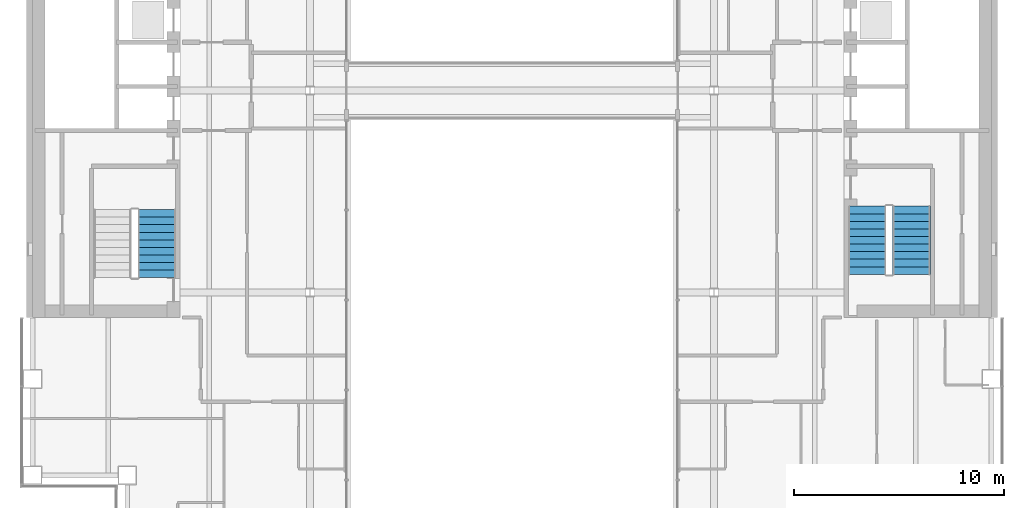
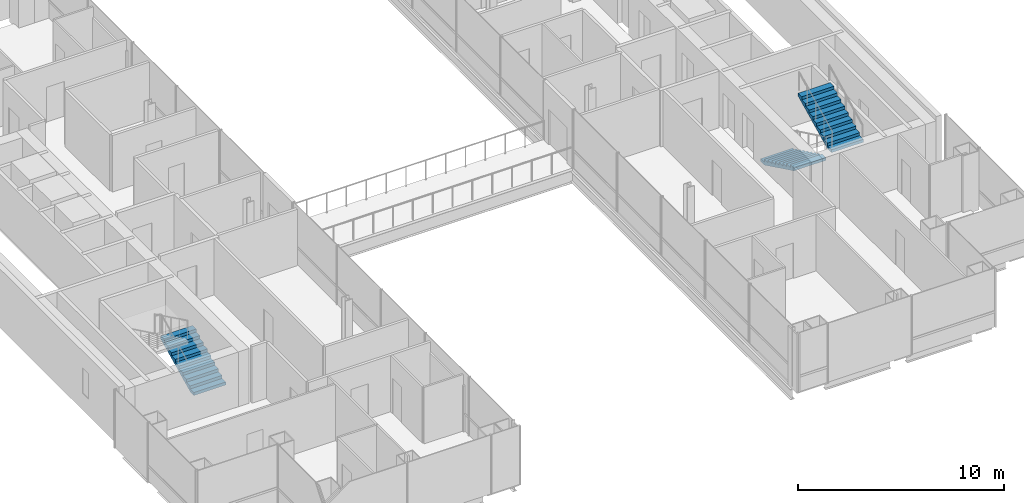
# One storey, part 14 of 16: 3 stair flights, 2 elements without a shape of their own.
"""IFC4 building model written with IfcOpenShell, lengths in metres."""

from ifc_helpers import new_model, si_unit, direction, frame, origin, place, context, subcontext, project, spatial, polyline, outline, extrude, material, type_object, element, aggregate, save


model = new_model("IFC4")

# Units and contexts
model_context = context("Model", 3, precision=1e-05, world=origin(), true_north=direction((0.0, 1.0)))
body_context = subcontext(model_context, "Body", "Model", "MODEL_VIEW")
ifc_project = project(units=[si_unit("LENGTHUNIT", "METRE"), si_unit("AREAUNIT", "SQUARE_METRE"), si_unit("VOLUMEUNIT", "CUBIC_METRE"), si_unit("PLANEANGLEUNIT", "RADIAN"), si_unit("MASSUNIT", "GRAM", prefix="KILO")], contexts=[model_context])

# Site, building, storey
site_placement = place(None, origin())
site = spatial("IfcSite", under=ifc_project, at=site_placement, CompositionType="ELEMENT")
building_placement = place(site_placement, origin())
building = spatial("IfcBuilding", under=site, at=building_placement, Name="Cobrizo Arcos Hotel Tower", CompositionType="ELEMENT")
storey_placement = place(building_placement, frame((0.0, 0.0, 127.5)))
storey = spatial("IfcBuildingStorey", under=building, at=storey_placement, Name="L32", CompositionType="ELEMENT", Elevation=127.5)

# Stair, stair flight
ifc_material = material(Name="Concrete f'c 40 MPa", Category="concrete")
stair_type = type_object("IfcStairType", Name="Exit stair", PredefinedType="HALF_TURN_STAIR", material=ifc_material)
stair_1_placement = place(storey_placement, origin())
stair_1 = element("IfcStair", 1, at=stair_1_placement, inside=storey, type_object=stair_type, Name="L32 Exit stair ST-W", PredefinedType="HALF_TURN_STAIR")
stair_flight_type = type_object("IfcStairFlightType", Name="Exit stair flight", PredefinedType="STRAIGHT", material=ifc_material)
stair_flight_1_placement = place(storey_placement, frame((-16.89990234375, -8.89990234375, 0.0), z_axis=(0.0, 0.0, 1.0), x_axis=(0.0, 1.0, 0.0)))
stair_flight_1 = element("IfcStairFlight", 2, at=stair_flight_1_placement, type_object=stair_flight_type, Name="ST-W flight 1", NumberOfRisers=10, NumberOfTreads=9, PredefinedType="STRAIGHT", RiserHeight=0.175, TreadLength=0.36, context=body_context, shape_type="SweptSolid", body=[
    extrude(outline(polyline([(0.0, 0.0), (0.0, 0.175048828125), (0.360107421875, 0.175048828125), (0.360107421875, 0.35009765625), (0.719970703125, 0.35009765625), (0.719970703125, 0.52490234375), (1.080078125, 0.52490234375), (1.080078125, 0.699951171875), (1.43994140625, 0.699951171875), (1.43994140625, 0.875), (1.800048828125, 0.875), (1.800048828125, 1.050048828125), (2.159912109375, 1.050048828125), (2.159912109375, 1.22509765625), (2.52001953125, 1.22509765625), (2.52001953125, 1.39990234375), (2.8798828125, 1.39990234375), (2.8798828125, 1.574951171875), (3.239990234375, 1.574951171875), (3.239990234375, 1.75), (3.239990234375, 1.408203125), (0.3427734375, 0.0), (0.0, 0.0)])), frame((0.0, 0.89990234375, 0.0), z_axis=(0.0, -1.0, 0.0), x_axis=(1.0, 0.0, 0.0)), (0.0, 0.0, 1.0), 1.800048828125),
])
aggregate(stair_1, [stair_flight_1])

# Stair, stair flights
stair_2_placement = place(storey_placement, origin())
stair_2 = element("IfcStair", 3, at=stair_2_placement, inside=storey, type_object=stair_type, Name="L32 Exit stair ST-E", PredefinedType="HALF_TURN_STAIR")
stair_flight_2_placement = place(storey_placement, frame((16.89990234375, -5.5, 0.0), z_axis=(0.0, 0.0, 1.0), x_axis=(0.0, -1.0, 0.0)))
stair_flight_2 = element("IfcStairFlight", 4, at=stair_flight_2_placement, type_object=stair_flight_type, Name="ST-E flight 1", NumberOfRisers=10, NumberOfTreads=9, PredefinedType="STRAIGHT", RiserHeight=0.175, TreadLength=0.36, context=body_context, shape_type="SweptSolid", body=[
    extrude(outline(polyline([(0.0, 0.0), (0.0, 0.175048828125), (0.360107421875, 0.175048828125), (0.360107421875, 0.35009765625), (0.719970703125, 0.35009765625), (0.719970703125, 0.52490234375), (1.080078125, 0.52490234375), (1.080078125, 0.699951171875), (1.43994140625, 0.699951171875), (1.43994140625, 0.875), (1.800048828125, 0.875), (1.800048828125, 1.050048828125), (2.159912109375, 1.050048828125), (2.159912109375, 1.22509765625), (2.52001953125, 1.22509765625), (2.52001953125, 1.39990234375), (2.8798828125, 1.39990234375), (2.8798828125, 1.574951171875), (3.239990234375, 1.574951171875), (3.239990234375, 1.75), (3.239990234375, 1.408203125), (0.3427734375, 0.0), (0.0, 0.0)])), frame((0.0, 0.89990234375, 0.0), z_axis=(0.0, -1.0, 0.0), x_axis=(1.0, 0.0, 0.0)), (0.0, 0.0, 1.0), 1.800048828125),
])
stair_flight_3_placement = place(storey_placement, frame((19.0, -8.739990234375, 1.75), z_axis=(0.0, 0.0, 1.0), x_axis=(0.0, 1.0, 0.0)))
stair_flight_3 = element("IfcStairFlight", 5, at=stair_flight_3_placement, type_object=stair_flight_type, Name="ST-E flight 2", NumberOfRisers=10, NumberOfTreads=9, PredefinedType="STRAIGHT", RiserHeight=0.175, TreadLength=0.36, context=body_context, shape_type="SweptSolid", body=[
    extrude(outline(polyline([(0.0, 0.0), (0.0, 0.175048828125), (0.360107421875, 0.175048828125), (0.360107421875, 0.35009765625), (0.719970703125, 0.35009765625), (0.719970703125, 0.52490234375), (1.080078125, 0.52490234375), (1.080078125, 0.699951171875), (1.43994140625, 0.699951171875), (1.43994140625, 0.875), (1.800048828125, 0.875), (1.800048828125, 1.050048828125), (2.159912109375, 1.050048828125), (2.159912109375, 1.22509765625), (2.52001953125, 1.22509765625), (2.52001953125, 1.39990234375), (2.8798828125, 1.39990234375), (2.8798828125, 1.574951171875), (3.239990234375, 1.574951171875), (3.239990234375, 1.75), (3.239990234375, 1.408203125), (0.3427734375, 0.0), (0.0, 0.0)])), frame((0.0, 0.89990234375, 0.0), z_axis=(0.0, -1.0, 0.0), x_axis=(1.0, 0.0, 0.0)), (0.0, 0.0, 1.0), 1.800048828125),
])
aggregate(stair_2, [stair_flight_2, stair_flight_3])

save(model, "model.ifc")
